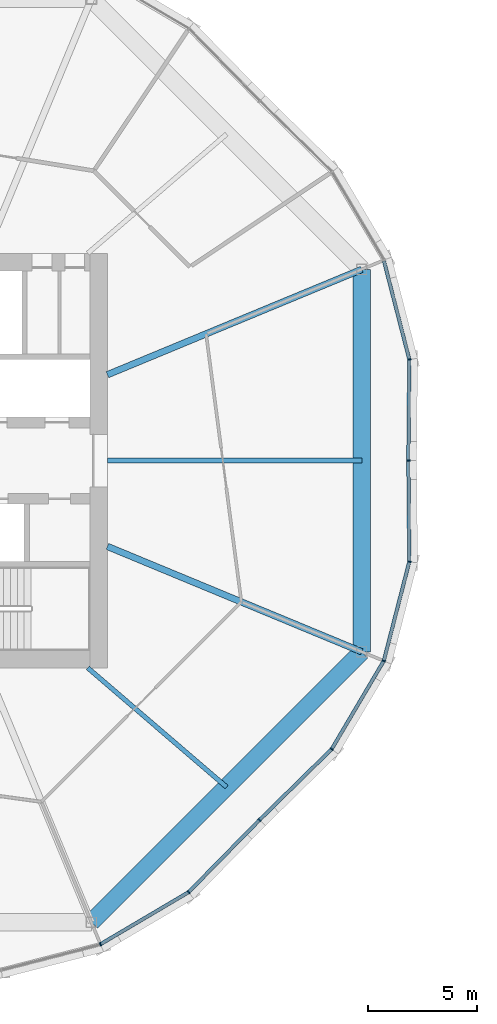
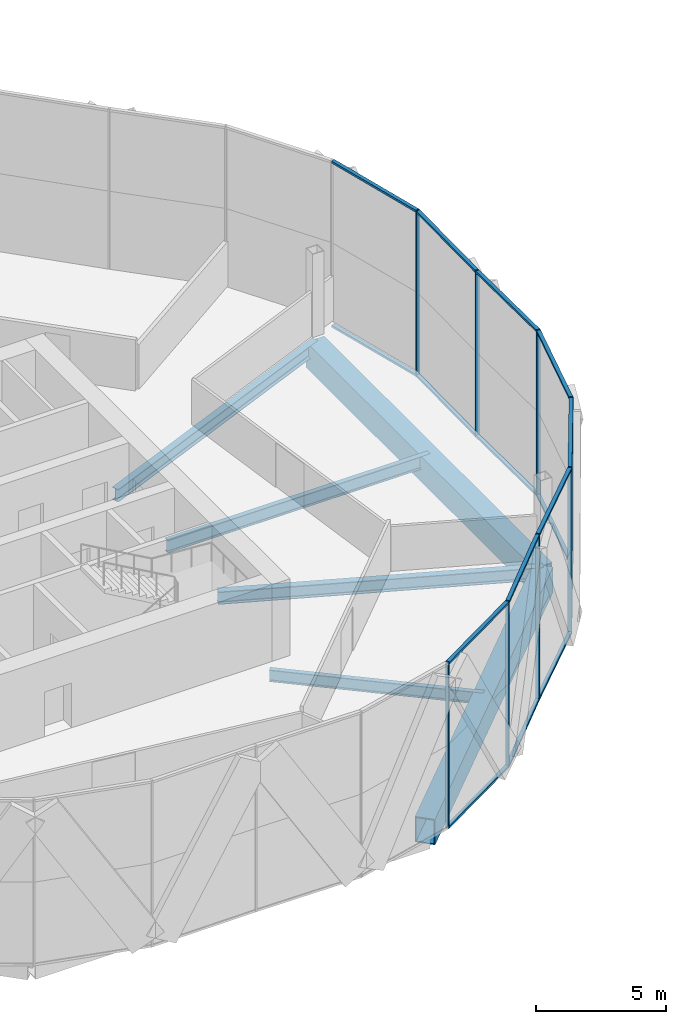
# One storey, part 6 of 31: 24 members, 6 beams, 3 elements without a shape of their own.
"""IFC4 building model written with IfcOpenShell, lengths in metres."""

from ifc_helpers import new_model, si_unit, direction, frame, origin, origin_2d, place, context, subcontext, project, spatial, rectangle, hollow_rectangle, i_section, extrude, material, material_profile, profile_set, type_object, element, aggregate, save


model = new_model("IFC4")

# Units and contexts
model_context = context("Model", 3, precision=1e-05, world=origin(), true_north=direction((0.0, 1.0)))
body_context = subcontext(model_context, "Body", "Model", "MODEL_VIEW")
ifc_project = project(units=[si_unit("LENGTHUNIT", "METRE"), si_unit("AREAUNIT", "SQUARE_METRE"), si_unit("VOLUMEUNIT", "CUBIC_METRE"), si_unit("PLANEANGLEUNIT", "RADIAN"), si_unit("MASSUNIT", "GRAM", prefix="KILO")], contexts=[model_context])

# Site, building, storey
site_placement = place(None, origin())
site = spatial("IfcSite", under=ifc_project, at=site_placement, CompositionType="ELEMENT")
building_placement = place(site_placement, origin())
building = spatial("IfcBuilding", under=site, at=building_placement, Name="Ogive Gate Towers", CompositionType="ELEMENT")
storey_placement = place(building_placement, frame((0.0, 0.0, 63.60009765625)))
storey = spatial("IfcBuildingStorey", under=building, at=storey_placement, Name="L14", CompositionType="ELEMENT", Elevation=63.60009765625)

# Beams
ifc_material_1 = material(Name="Steel SM460", Category="steel")
ifc_material_profile_1 = material_profile(ifc_material_1, hollow_rectangle(XDim=0.800048828125, YDim=1.199951171875, WallThickness=0.050048828125, at=origin_2d()), Name="BX 1200x800x50")
ifc_profile_set_1 = profile_set([ifc_material_profile_1], Name="Steel SM460")
beam_type_1 = type_object("IfcBeamType", Name="Edge girder BX 1200x800x50", PredefinedType="BEAM", material=ifc_profile_set_1)
for number, where, z_axis, x_axis, name in (
    (1, (-27.236572265625, -21.15673828125, -0.900146484375), (0.707106781187, 0.707106781187, 0.0), (-0.707106781187, 0.707106781187, 0.0), "T1/L14/SBM019"),
    (2, (-14.84326171875, -8.763427734375, -0.900146484375), (0.0, 1.0, 0.0), (-1.0, 0.0, 0.0), "T1/L14/SBM020"),
):
    element("IfcBeam", number, at=place(storey_placement, frame(where, z_axis=z_axis, x_axis=x_axis)), inside=storey, type_object=beam_type_1, Name=name, PredefinedType="BEAM", context=body_context, shape_type="SweptSolid", body=[
        extrude(hollow_rectangle(XDim=0.800048828125, YDim=1.199951171875, WallThickness=0.050048828125, at=origin_2d()), origin(), (0.0, 0.0, 1.0), 17.52685546875),
    ])
ifc_material_2 = material(Name="Steel SM355", Category="steel")
ifc_material_profile_2 = material_profile(ifc_material_2, i_section(OverallWidth=0.300048828125, OverallDepth=0.590087890625, WebThickness=0.012939453125, FlangeThickness=0.02490234375, FilletRadius=0.027099609375, at=origin_2d()), Name="HE 600 A")
ifc_profile_set_2 = profile_set([ifc_material_profile_2], Name="Steel SM355")
beam_type_2 = type_object("IfcBeamType", Name="Radial floor beam HE 600 A", PredefinedType="BEAM", material=ifc_profile_set_2)
for number, where, z_axis, x_axis, name in (
    (3, (-26.5, -3.93505859375, -0.59521484375), (0.923879811284, -0.382682759347, 0.0), (0.382682759347, 0.923879811284, 0.0), "T1/L14/SBM007"),
    (4, (-26.5, 3.93505859375, -0.59521484375), (0.923879811284, 0.382682759347, 0.0), (-0.382682759347, 0.923879811284, 0.0), "T1/L14/SBM009"),
):
    element("IfcBeam", number, at=place(storey_placement, frame(where, z_axis=z_axis, x_axis=x_axis)), inside=storey, type_object=beam_type_2, Name=name, PredefinedType="BEAM", context=body_context, shape_type="SweptSolid", body=[
        extrude(i_section(OverallWidth=0.300048828125, OverallDepth=0.590087890625, WebThickness=0.012939453125, FlangeThickness=0.02490234375, FilletRadius=0.027099609375, at=origin_2d()), origin(), (0.0, 0.0, 1.0), 12.6171875),
    ])
ifc_material_profile_3 = material_profile(ifc_material_2, i_section(OverallWidth=0.2099609375, OverallDepth=0.550048828125, WebThickness=0.010986328125, FlangeThickness=0.01708984375, FilletRadius=0.02392578125, at=origin_2d()), Name="IPE 550")
ifc_profile_set_3 = profile_set([ifc_material_profile_3], Name="Steel SM355")
beam_type_3 = type_object("IfcBeamType", Name="Radial floor beam IPE 550", PredefinedType="BEAM", material=ifc_profile_set_3)
beam_1_placement = place(storey_placement, frame((-27.39990234375, -9.5, -0.5751953125), z_axis=(0.75874444664, -0.651388413078, 0.0), x_axis=(0.651388413078, 0.75874444664, 0.0)))
element("IfcBeam", 5, at=beam_1_placement, inside=storey, type_object=beam_type_3, Name="T1/L14/SBM006", PredefinedType="BEAM", context=body_context, shape_type="SweptSolid", body=[
    extrude(i_section(OverallWidth=0.2099609375, OverallDepth=0.550048828125, WebThickness=0.010986328125, FlangeThickness=0.01708984375, FilletRadius=0.02392578125, at=origin_2d()), origin(), (0.0, 0.0, 1.0), 8.38232421875),
])
ifc_material_profile_4 = material_profile(ifc_material_2, i_section(OverallWidth=0.219970703125, OverallDepth=0.60009765625, WebThickness=0.011962890625, FlangeThickness=0.01904296875, FilletRadius=0.02392578125, at=origin_2d()), Name="IPE 600")
ifc_profile_set_4 = profile_set([ifc_material_profile_4], Name="Steel SM355")
beam_type_4 = type_object("IfcBeamType", Name="Radial floor beam IPE 600", PredefinedType="BEAM", material=ifc_profile_set_4)
beam_2_placement = place(storey_placement, frame((-26.5, 0.0, -0.60009765625), z_axis=(1.0, 0.0, 0.0), x_axis=(0.0, 1.0, 0.0)))
element("IfcBeam", 6, at=beam_2_placement, inside=storey, type_object=beam_type_4, Name="T1/L14/SBM008", PredefinedType="BEAM", context=body_context, shape_type="SweptSolid", body=[
    extrude(i_section(OverallWidth=0.219970703125, OverallDepth=0.60009765625, WebThickness=0.011962890625, FlangeThickness=0.01904296875, FilletRadius=0.02392578125, at=origin_2d()), origin(), (0.0, 0.0, 1.0), 11.65673828125),
])

# Curtain wall, members
ifc_material_3 = material(Name="Pale metal aluminium", Category="aluminium")
curtain_wall_type = type_object("IfcCurtainWallType", Name="Tower unitised wall, low zone", PredefinedType="NOTDEFINED", material=ifc_material_3)
curtain_wall_1_placement = place(storey_placement, origin())
curtain_wall_1 = element("IfcCurtainWall", 7, at=curtain_wall_1_placement, inside=storey, type_object=curtain_wall_type, Name="CW1 T1 ECW01", PredefinedType="NOTDEFINED")
ifc_material_profile_5 = material_profile(ifc_material_3, rectangle(XDim=0.159912109375, YDim=0.06005859375, at=origin_2d()), Name="60 x 160 aluminium box")
ifc_profile_set_5 = profile_set([ifc_material_profile_5], Name="Pale metal aluminium")
member_type_1 = type_object("IfcMemberType", Name="Tower unitised wall, low zone mullion 60 x 160", PredefinedType="MULLION", material=ifc_profile_set_5)
member_1_placement = place(storey_placement, frame((-12.7099609375, 0.000244140625, -0.300048828125), z_axis=(0.0, 0.0, 1.0), x_axis=(0.999953926969, -0.009599163462, 0.0)))
member_1 = element("IfcMember", 8, at=member_1_placement, type_object=member_type_1, Name="CW1 mullion", PredefinedType="MULLION", context=body_context, shape_type="SweptSolid", body=[
    extrude(rectangle(XDim=0.159912109375, YDim=0.06005859375, at=origin_2d()), origin(), (0.0, 0.0, 1.0), 7.800048828125),
])
member_2_placement = place(storey_placement, frame((-12.665283203125, 4.635498046875, -0.300048828125), z_axis=(0.0, 0.0, 1.0), x_axis=(0.992671119641, 0.120847210271, 0.0)))
member_2 = element("IfcMember", 9, at=member_2_placement, type_object=member_type_1, Name="CW1 mullion", PredefinedType="MULLION", context=body_context, shape_type="SweptSolid", body=[
    extrude(rectangle(XDim=0.159912109375, YDim=0.06005859375, at=origin_2d()), origin(), (0.0, 0.0, 1.0), 7.800048828125),
])

curtain_wall_2_placement = place(storey_placement, origin())
curtain_wall_2 = element("IfcCurtainWall", 10, at=curtain_wall_2_placement, inside=storey, type_object=curtain_wall_type, Name="CW1 T1 ECW07", PredefinedType="NOTDEFINED")
member_3_placement = place(storey_placement, frame((-26.819091796875, -22.164794921875, -0.300048828125), z_axis=(0.0, 0.0, 1.0), x_axis=(0.382683432365, -0.923879532511, 0.0)))
member_3 = element("IfcMember", 11, at=member_3_placement, type_object=member_type_1, Name="CW1 mullion", PredefinedType="MULLION", context=body_context, shape_type="SweptSolid", body=[
    extrude(rectangle(XDim=0.159912109375, YDim=0.06005859375, at=origin_2d()), origin(), (0.0, 0.0, 1.0), 7.800048828125),
])
member_4_placement = place(storey_placement, frame((-22.777587890625, -19.77783203125, -0.300048828125), z_axis=(0.0, 0.0, 1.0), x_axis=(0.616458855912, -0.787387121413, 0.0)))
member_4 = element("IfcMember", 12, at=member_4_placement, type_object=member_type_1, Name="CW1 mullion", PredefinedType="MULLION", context=body_context, shape_type="SweptSolid", body=[
    extrude(rectangle(XDim=0.159912109375, YDim=0.06005859375, at=origin_2d()), origin(), (0.0, 0.0, 1.0), 7.800048828125),
])
member_5_placement = place(storey_placement, frame((-19.531494140625, -16.46875, -0.300048828125), z_axis=(0.0, 0.0, 1.0), x_axis=(0.713849613797, -0.700299028189, 0.0)))
member_5 = element("IfcMember", 13, at=member_5_placement, type_object=member_type_1, Name="CW1 mullion", PredefinedType="MULLION", context=body_context, shape_type="SweptSolid", body=[
    extrude(rectangle(XDim=0.159912109375, YDim=0.06005859375, at=origin_2d()), origin(), (0.0, 0.0, 1.0), 7.800048828125),
])

curtain_wall_3_placement = place(storey_placement, origin())
curtain_wall_3 = element("IfcCurtainWall", 14, at=curtain_wall_3_placement, inside=storey, type_object=curtain_wall_type, Name="CW1 T1 ECW08", PredefinedType="NOTDEFINED")
member_6_placement = place(storey_placement, frame((-16.22216796875, -13.222412109375, -0.300048828125), z_axis=(0.0, 0.0, 1.0), x_axis=(0.787387121413, -0.616458855912, 0.0)))
member_6 = element("IfcMember", 15, at=member_6_placement, type_object=member_type_1, Name="CW1 mullion", PredefinedType="MULLION", context=body_context, shape_type="SweptSolid", body=[
    extrude(rectangle(XDim=0.159912109375, YDim=0.06005859375, at=origin_2d()), origin(), (0.0, 0.0, 1.0), 7.800048828125),
])
member_7_placement = place(storey_placement, frame((-13.835205078125, -9.180908203125, -0.300048828125), z_axis=(0.0, 0.0, 1.0), x_axis=(0.923879532511, -0.382683432365, 0.0)))
member_7 = element("IfcMember", 16, at=member_7_placement, type_object=member_type_1, Name="CW1 mullion", PredefinedType="MULLION", context=body_context, shape_type="SweptSolid", body=[
    extrude(rectangle(XDim=0.159912109375, YDim=0.06005859375, at=origin_2d()), origin(), (0.0, 0.0, 1.0), 7.800048828125),
])
member_8_placement = place(storey_placement, frame((-12.665283203125, -4.635498046875, -0.300048828125), z_axis=(0.0, 0.0, 1.0), x_axis=(0.992671119641, -0.120847210271, 0.0)))
member_8 = element("IfcMember", 17, at=member_8_placement, type_object=member_type_1, Name="CW1 mullion", PredefinedType="MULLION", context=body_context, shape_type="SweptSolid", body=[
    extrude(rectangle(XDim=0.159912109375, YDim=0.06005859375, at=origin_2d()), origin(), (0.0, 0.0, 1.0), 7.800048828125),
])

# Member
ifc_material_profile_6 = material_profile(ifc_material_3, rectangle(XDim=0.159912109375, YDim=0.10009765625, at=origin_2d()), Name="100 x 160 aluminium box")
ifc_profile_set_6 = profile_set([ifc_material_profile_6], Name="Pale metal aluminium")
member_type_2 = type_object("IfcMemberType", Name="Tower unitised wall, low zone transom 100 x 160", PredefinedType="USERDEFINED", material=ifc_profile_set_6)
member_9_placement = place(storey_placement, frame((-12.709716796875, 0.0302734375, 7.449951171875), z_axis=(0.009599557663, 0.999953923185, 0.0), x_axis=(-0.999953923185, 0.009599557663, 0.0)))
member_9 = element("IfcMember", 18, at=member_9_placement, type_object=member_type_2, Name="CW1 transom", ObjectType="TRANSOM", PredefinedType="USERDEFINED", context=body_context, shape_type="SweptSolid", body=[
    extrude(rectangle(XDim=0.159912109375, YDim=0.10009765625, at=origin_2d()), origin(), (0.0, 0.0, 1.0), 4.577880859375),
])

member_10_placement = place(storey_placement, frame((-12.709716796875, 0.0302734375, -0.25), z_axis=(0.009599557663, 0.999953923185, 0.0), x_axis=(-0.999953923185, 0.009599557663, 0.0)))
member_10 = element("IfcMember", 19, at=member_10_placement, type_object=member_type_2, Name="CW1 transom", ObjectType="TRANSOM", PredefinedType="USERDEFINED", context=body_context, shape_type="SweptSolid", body=[
    extrude(rectangle(XDim=0.159912109375, YDim=0.10009765625, at=origin_2d()), origin(), (0.0, 0.0, 1.0), 4.577880859375),
])

member_11_placement = place(storey_placement, frame((-12.67236328125, 4.661865234375, 7.449951171875), z_axis=(-0.249241307087, 0.968441413221, 0.0), x_axis=(-0.968441413221, -0.249241307087, 0.0)))
member_11 = element("IfcMember", 20, at=member_11_placement, type_object=member_type_2, Name="CW1 transom", ObjectType="TRANSOM", PredefinedType="USERDEFINED", context=body_context, shape_type="SweptSolid", body=[
    extrude(rectangle(XDim=0.159912109375, YDim=0.10009765625, at=origin_2d()), origin(), (0.0, 0.0, 1.0), 4.63916015625),
])

member_12_placement = place(storey_placement, frame((-12.67236328125, 4.661865234375, -0.25), z_axis=(-0.249241307087, 0.968441413221, 0.0), x_axis=(-0.968441413221, -0.249241307087, 0.0)))
member_12 = element("IfcMember", 21, at=member_12_placement, type_object=member_type_2, Name="CW1 transom", ObjectType="TRANSOM", PredefinedType="USERDEFINED", context=body_context, shape_type="SweptSolid", body=[
    extrude(rectangle(XDim=0.159912109375, YDim=0.10009765625, at=origin_2d()), origin(), (0.0, 0.0, 1.0), 4.63916015625),
])

aggregate(curtain_wall_1, [member_1, member_2, member_9, member_10, member_11, member_12])

member_13_placement = place(storey_placement, frame((-26.795654296875, -22.15087890625, 7.449951171875), z_axis=(0.861015568373, 0.508578598665, 0.0), x_axis=(-0.508578598665, 0.861015568373, 0.0)))
member_13 = element("IfcMember", 22, at=member_13_placement, type_object=member_type_2, Name="CW1 transom", ObjectType="TRANSOM", PredefinedType="USERDEFINED", context=body_context, shape_type="SweptSolid", body=[
    extrude(rectangle(XDim=0.159912109375, YDim=0.10009765625, at=origin_2d()), origin(), (0.0, 0.0, 1.0), 4.63916015625),
])

member_14_placement = place(storey_placement, frame((-26.795654296875, -22.15087890625, -0.25), z_axis=(0.861015568373, 0.508578598665, 0.0), x_axis=(-0.508578598665, 0.861015568373, 0.0)))
member_14 = element("IfcMember", 23, at=member_14_placement, type_object=member_type_2, Name="CW1 transom", ObjectType="TRANSOM", PredefinedType="USERDEFINED", context=body_context, shape_type="SweptSolid", body=[
    extrude(rectangle(XDim=0.159912109375, YDim=0.10009765625, at=origin_2d()), origin(), (0.0, 0.0, 1.0), 4.63916015625),
])

member_15_placement = place(storey_placement, frame((-22.758544921875, -19.75830078125, 7.449951171875), z_axis=(0.70027504726, 0.71387313872, 0.0), x_axis=(-0.71387313872, 0.70027504726, 0.0)))
member_15 = element("IfcMember", 24, at=member_15_placement, type_object=member_type_2, Name="CW1 transom", ObjectType="TRANSOM", PredefinedType="USERDEFINED", context=body_context, shape_type="SweptSolid", body=[
    extrude(rectangle(XDim=0.159912109375, YDim=0.10009765625, at=origin_2d()), origin(), (0.0, 0.0, 1.0), 4.578369140625),
])

member_16_placement = place(storey_placement, frame((-22.758544921875, -19.75830078125, -0.25), z_axis=(0.70027504726, 0.71387313872, 0.0), x_axis=(-0.71387313872, 0.70027504726, 0.0)))
member_16 = element("IfcMember", 25, at=member_16_placement, type_object=member_type_2, Name="CW1 transom", ObjectType="TRANSOM", PredefinedType="USERDEFINED", context=body_context, shape_type="SweptSolid", body=[
    extrude(rectangle(XDim=0.159912109375, YDim=0.10009765625, at=origin_2d()), origin(), (0.0, 0.0, 1.0), 4.578369140625),
])

aggregate(curtain_wall_2, [member_3, member_4, member_13, member_14, member_5, member_15, member_16])

member_17_placement = place(storey_placement, frame((-19.510009765625, -16.447509765625, 7.449951171875), z_axis=(0.71387313872, 0.70027504726, 0.0), x_axis=(-0.70027504726, 0.71387313872, 0.0)))
member_17 = element("IfcMember", 26, at=member_17_placement, type_object=member_type_2, Name="CW1 transom", ObjectType="TRANSOM", PredefinedType="USERDEFINED", context=body_context, shape_type="SweptSolid", body=[
    extrude(rectangle(XDim=0.159912109375, YDim=0.10009765625, at=origin_2d()), origin(), (0.0, 0.0, 1.0), 4.578369140625),
])

member_18_placement = place(storey_placement, frame((-19.510009765625, -16.447509765625, -0.25), z_axis=(0.71387313872, 0.70027504726, 0.0), x_axis=(-0.70027504726, 0.71387313872, 0.0)))
member_18 = element("IfcMember", 27, at=member_18_placement, type_object=member_type_2, Name="CW1 transom", ObjectType="TRANSOM", PredefinedType="USERDEFINED", context=body_context, shape_type="SweptSolid", body=[
    extrude(rectangle(XDim=0.159912109375, YDim=0.10009765625, at=origin_2d()), origin(), (0.0, 0.0, 1.0), 4.578369140625),
])

member_19_placement = place(storey_placement, frame((-16.20849609375, -13.19873046875, 7.449951171875), z_axis=(0.508578598665, 0.861015568373, 0.0), x_axis=(-0.861015568373, 0.508578598665, 0.0)))
member_19 = element("IfcMember", 28, at=member_19_placement, type_object=member_type_2, Name="CW1 transom", ObjectType="TRANSOM", PredefinedType="USERDEFINED", context=body_context, shape_type="SweptSolid", body=[
    extrude(rectangle(XDim=0.159912109375, YDim=0.10009765625, at=origin_2d()), origin(), (0.0, 0.0, 1.0), 4.63916015625),
])

member_20_placement = place(storey_placement, frame((-16.20849609375, -13.19873046875, -0.25), z_axis=(0.508578598665, 0.861015568373, 0.0), x_axis=(-0.861015568373, 0.508578598665, 0.0)))
member_20 = element("IfcMember", 29, at=member_20_placement, type_object=member_type_2, Name="CW1 transom", ObjectType="TRANSOM", PredefinedType="USERDEFINED", context=body_context, shape_type="SweptSolid", body=[
    extrude(rectangle(XDim=0.159912109375, YDim=0.10009765625, at=origin_2d()), origin(), (0.0, 0.0, 1.0), 4.63916015625),
])

member_21_placement = place(storey_placement, frame((-13.82861328125, -9.154541015625, 7.449951171875), z_axis=(0.249241307087, 0.968441413221, 0.0), x_axis=(-0.968441413221, 0.249241307087, 0.0)))
member_21 = element("IfcMember", 30, at=member_21_placement, type_object=member_type_2, Name="CW1 transom", ObjectType="TRANSOM", PredefinedType="USERDEFINED", context=body_context, shape_type="SweptSolid", body=[
    extrude(rectangle(XDim=0.159912109375, YDim=0.10009765625, at=origin_2d()), origin(), (0.0, 0.0, 1.0), 4.63916015625),
])

member_22_placement = place(storey_placement, frame((-13.82861328125, -9.154541015625, -0.25), z_axis=(0.249241307087, 0.968441413221, 0.0), x_axis=(-0.968441413221, 0.249241307087, 0.0)))
member_22 = element("IfcMember", 31, at=member_22_placement, type_object=member_type_2, Name="CW1 transom", ObjectType="TRANSOM", PredefinedType="USERDEFINED", context=body_context, shape_type="SweptSolid", body=[
    extrude(rectangle(XDim=0.159912109375, YDim=0.10009765625, at=origin_2d()), origin(), (0.0, 0.0, 1.0), 4.63916015625),
])

member_23_placement = place(storey_placement, frame((-12.665771484375, -4.60791015625, 7.449951171875), z_axis=(-0.009599557663, 0.999953923185, 0.0), x_axis=(-0.999953923185, -0.009599557663, 0.0)))
member_23 = element("IfcMember", 32, at=member_23_placement, type_object=member_type_2, Name="CW1 transom", ObjectType="TRANSOM", PredefinedType="USERDEFINED", context=body_context, shape_type="SweptSolid", body=[
    extrude(rectangle(XDim=0.159912109375, YDim=0.10009765625, at=origin_2d()), origin(), (0.0, 0.0, 1.0), 4.577880859375),
])

member_24_placement = place(storey_placement, frame((-12.665771484375, -4.60791015625, -0.25), z_axis=(-0.009599557663, 0.999953923185, 0.0), x_axis=(-0.999953923185, -0.009599557663, 0.0)))
member_24 = element("IfcMember", 33, at=member_24_placement, type_object=member_type_2, Name="CW1 transom", ObjectType="TRANSOM", PredefinedType="USERDEFINED", context=body_context, shape_type="SweptSolid", body=[
    extrude(rectangle(XDim=0.159912109375, YDim=0.10009765625, at=origin_2d()), origin(), (0.0, 0.0, 1.0), 4.577880859375),
])

aggregate(curtain_wall_3, [member_6, member_17, member_18, member_7, member_19, member_20, member_8, member_21, member_22, member_23, member_24])

save(model, "model.ifc")
